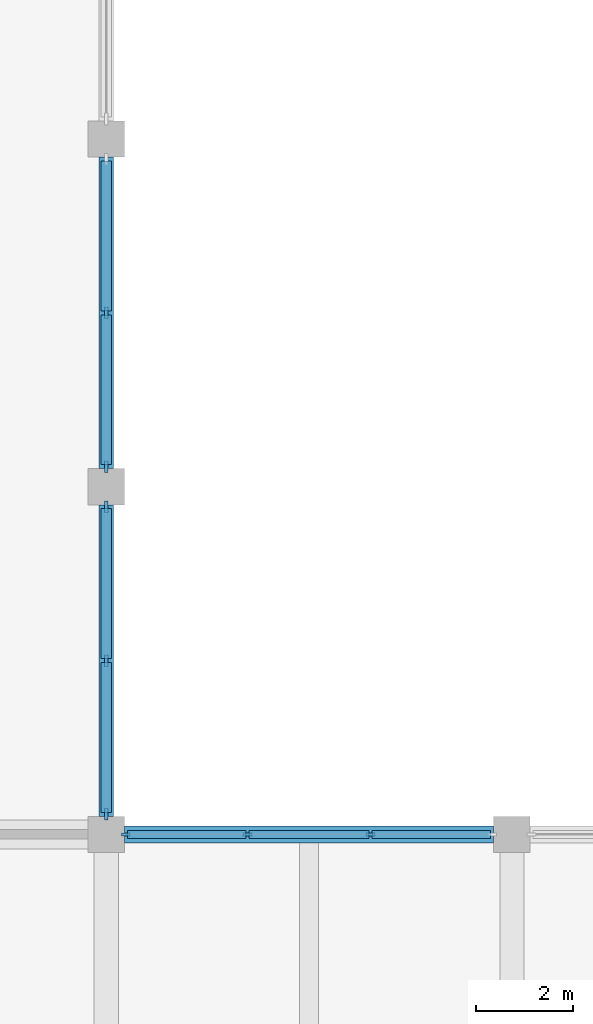
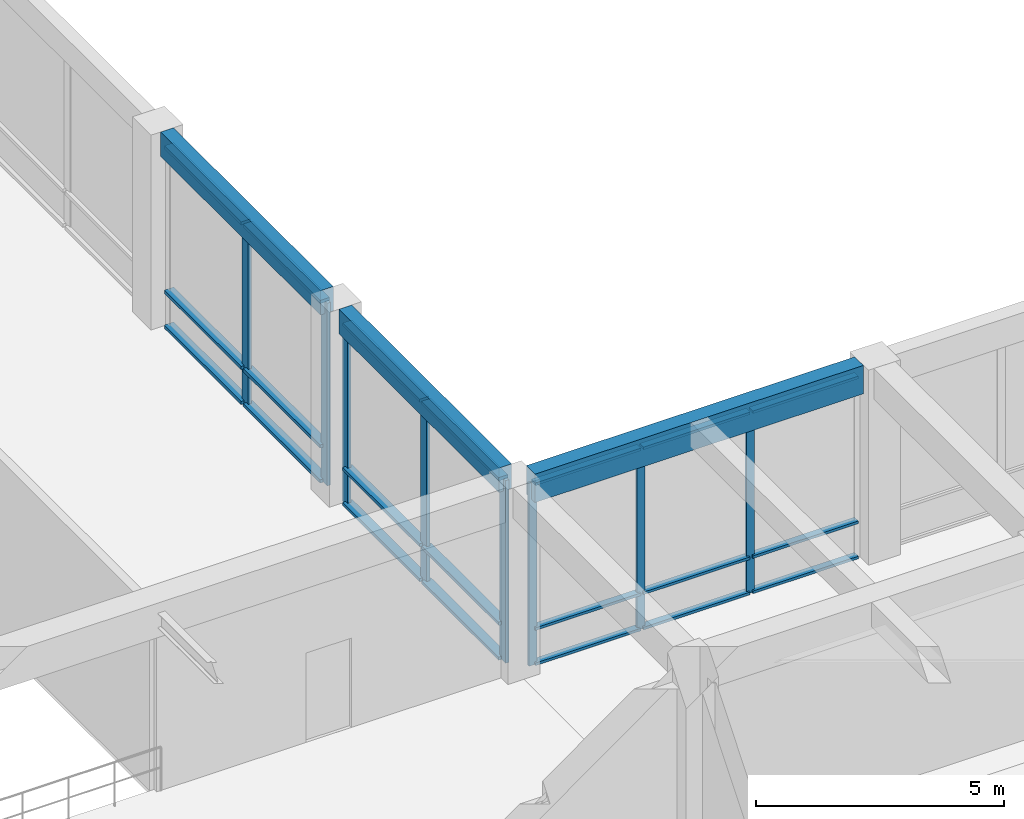
# One storey, part 7 of 52: 29 members, 3 beams, 3 elements without a shape of their own.
"""IFC4 building model written with IfcOpenShell, lengths in metres."""

from ifc_helpers import new_model, si_unit, direction, frame, origin, origin_2d, place, context, subcontext, project, spatial, rectangle, extrude, material, material_profile, profile_set, type_object, element, aggregate, save


model = new_model("IFC4")

# Units and contexts
model_context = context("Model", 3, precision=1e-05, world=origin(), true_north=direction((0.0, 1.0)))
body_context = subcontext(model_context, "Body", "Model", "MODEL_VIEW")
ifc_project = project(units=[si_unit("LENGTHUNIT", "METRE"), si_unit("AREAUNIT", "SQUARE_METRE"), si_unit("VOLUMEUNIT", "CUBIC_METRE"), si_unit("PLANEANGLEUNIT", "RADIAN"), si_unit("MASSUNIT", "GRAM", prefix="KILO")], contexts=[model_context])

# Site, building, storey
site_placement = place(None, origin())
site = spatial("IfcSite", under=ifc_project, at=site_placement, CompositionType="ELEMENT")
building_placement = place(site_placement, origin())
building = spatial("IfcBuilding", under=site, at=building_placement, Name="Kenerak Square Central Library", CompositionType="ELEMENT")
storey_placement = place(building_placement, frame((0.0, 0.0, 4.800048828125)))
storey = spatial("IfcBuildingStorey", under=building, at=storey_placement, Name="L01", CompositionType="ELEMENT", Elevation=4.800048828125)

# Beams
ifc_material_1 = material(Name="Concrete C40/50", Category="concrete")
ifc_material_profile_1 = material_profile(ifc_material_1, rectangle(XDim=0.300048828125, YDim=0.60009765625, at=origin_2d()), Name="RC 300x600")
ifc_profile_set_1 = profile_set([ifc_material_profile_1], Name="Concrete C40/50")
beam_type_1 = type_object("IfcBeamType", Name="Courtyard Spandrel Beam SP-02 RC 300x600 C40/50", PredefinedType="SPANDREL", material=ifc_profile_set_1)
beam_1_placement = place(storey_placement, frame((33.199951171875, 38.77490234375, 4.5), z_axis=(0.0, 1.0, 0.0), x_axis=(-1.0, 0.0, 0.0)))
element("IfcBeam", 1, at=beam_1_placement, inside=storey, type_object=beam_type_1, Name="Beam SP-02 L01 0991", PredefinedType="SPANDREL", context=body_context, shape_type="SweptSolid", body=[
    extrude(rectangle(XDim=0.300048828125, YDim=0.60009765625, at=origin_2d()), origin(), (0.0, 0.0, 1.0), 6.4501953125),
])
beam_2_placement = place(storey_placement, frame((33.199951171875, 45.97509765625, 4.5), z_axis=(0.0, 1.0, 0.0), x_axis=(-1.0, 0.0, 0.0)))
element("IfcBeam", 2, at=beam_2_placement, inside=storey, type_object=beam_type_1, Name="Beam SP-02 L01 0992", PredefinedType="SPANDREL", context=body_context, shape_type="SweptSolid", body=[
    extrude(rectangle(XDim=0.300048828125, YDim=0.60009765625, at=origin_2d()), origin(), (0.0, 0.0, 1.0), 6.449951171875),
])

# Curtain wall, members
ifc_material_2 = material(Name="Anodised aluminium and solar-control low-E glazing", Category="aluminium")
curtain_wall_type_1 = type_object("IfcCurtainWallType", Name="Curtain Wall CW-V6-76x45 7650x4500", PredefinedType="USERDEFINED", material=ifc_material_2)
curtain_wall_1_placement = place(storey_placement, origin())
curtain_wall_1 = element("IfcCurtainWall", 3, at=curtain_wall_1_placement, inside=storey, type_object=curtain_wall_type_1, Name="Curtain Wall CW-V6-76x45 L01 0064", ObjectType="CURTAIN WALL", PredefinedType="USERDEFINED")
ifc_material_3 = material(Name="Anodised aluminium 6063-T6", Category="aluminium")
ifc_material_profile_2 = material_profile(ifc_material_3, rectangle(XDim=0.06494140625, YDim=0.179931640625, at=origin_2d()), Name="AL MULLION 65x180")
ifc_profile_set_2 = profile_set([ifc_material_profile_2], Name="Anodised aluminium 6063-T6")
member_type_1 = type_object("IfcMemberType", Name="Curtain Mullion CM-01 65x180", PredefinedType="MULLION", material=ifc_profile_set_2)
member_1_placement = place(storey_placement, frame((33.607421875, 38.39990234375, 0.0), z_axis=(0.0, 0.0, 1.0), x_axis=(0.0, 1.0, 0.0)))
member_1 = element("IfcMember", 4, at=member_1_placement, type_object=member_type_1, Name="CW-V6-76x45 Mullion 1", PredefinedType="MULLION", context=body_context, shape_type="SweptSolid", body=[
    extrude(rectangle(XDim=0.06494140625, YDim=0.179931640625, at=origin_2d()), origin(), (0.0, 0.0, 1.0), 4.5),
])
member_2_placement = place(storey_placement, frame((36.125, 38.39990234375, 0.0), z_axis=(0.0, 0.0, 1.0), x_axis=(0.0, 1.0, 0.0)))
member_2 = element("IfcMember", 5, at=member_2_placement, type_object=member_type_1, Name="CW-V6-76x45 Mullion 2", PredefinedType="MULLION", context=body_context, shape_type="SweptSolid", body=[
    extrude(rectangle(XDim=0.06494140625, YDim=0.179931640625, at=origin_2d()), origin(), (0.0, 0.0, 1.0), 4.5),
])
member_3_placement = place(storey_placement, frame((38.675048828125, 38.39990234375, 0.0), z_axis=(0.0, 0.0, 1.0), x_axis=(0.0, 1.0, 0.0)))
member_3 = element("IfcMember", 6, at=member_3_placement, type_object=member_type_1, Name="CW-V6-76x45 Mullion 3", PredefinedType="MULLION", context=body_context, shape_type="SweptSolid", body=[
    extrude(rectangle(XDim=0.06494140625, YDim=0.179931640625, at=origin_2d()), origin(), (0.0, 0.0, 1.0), 4.5),
])

curtain_wall_type_2 = type_object("IfcCurtainWallType", Name="Curtain Wall CW-V3-64x45 6450x4500", PredefinedType="USERDEFINED", material=ifc_material_2)
curtain_wall_2_placement = place(storey_placement, origin())
curtain_wall_2 = element("IfcCurtainWall", 7, at=curtain_wall_2_placement, inside=storey, type_object=curtain_wall_type_2, Name="Curtain Wall CW-V3-64x45 L01 0062", ObjectType="CURTAIN WALL", PredefinedType="USERDEFINED")
ifc_material_profile_3 = material_profile(ifc_material_3, rectangle(XDim=0.080078125, YDim=0.239990234375, at=origin_2d()), Name="AL MULLION 80x240")
ifc_profile_set_3 = profile_set([ifc_material_profile_3], Name="Anodised aluminium 6063-T6")
member_type_2 = type_object("IfcMemberType", Name="Curtain Mullion CM-04 80x240", PredefinedType="MULLION", material=ifc_profile_set_3)
member_4_placement = place(storey_placement, frame((33.199951171875, 49.199951171875, 0.0), z_axis=(0.0, 0.0, 1.0), x_axis=(1.0, 0.0, 0.0)))
member_4 = element("IfcMember", 8, at=member_4_placement, type_object=member_type_2, Name="CW-V3-64x45 Mullion 2", PredefinedType="MULLION", context=body_context, shape_type="SweptSolid", body=[
    extrude(rectangle(XDim=0.080078125, YDim=0.239990234375, at=origin_2d()), origin(), (0.0, 0.0, 1.0), 4.5),
])
member_5_placement = place(storey_placement, frame((33.199951171875, 46.014892578125, 0.0), z_axis=(0.0, 0.0, 1.0), x_axis=(1.0, 0.0, 0.0)))
member_5 = element("IfcMember", 9, at=member_5_placement, type_object=member_type_2, Name="CW-V3-64x45 Mullion 3", PredefinedType="MULLION", context=body_context, shape_type="SweptSolid", body=[
    extrude(rectangle(XDim=0.080078125, YDim=0.239990234375, at=origin_2d()), origin(), (0.0, 0.0, 1.0), 4.5),
])

curtain_wall_3_placement = place(storey_placement, origin())
curtain_wall_3 = element("IfcCurtainWall", 10, at=curtain_wall_3_placement, inside=storey, type_object=curtain_wall_type_2, Name="Curtain Wall CW-V3-64x45 L01 0063", ObjectType="CURTAIN WALL", PredefinedType="USERDEFINED")
member_6_placement = place(storey_placement, frame((33.199951171875, 45.18505859375, 0.0), z_axis=(0.0, 0.0, 1.0), x_axis=(1.0, 0.0, 0.0)))
member_6 = element("IfcMember", 11, at=member_6_placement, type_object=member_type_2, Name="CW-V3-64x45 Mullion 1", PredefinedType="MULLION", context=body_context, shape_type="SweptSolid", body=[
    extrude(rectangle(XDim=0.080078125, YDim=0.239990234375, at=origin_2d()), origin(), (0.0, 0.0, 1.0), 4.5),
])
member_7_placement = place(storey_placement, frame((33.199951171875, 42.0, 0.0), z_axis=(0.0, 0.0, 1.0), x_axis=(1.0, 0.0, 0.0)))
member_7 = element("IfcMember", 12, at=member_7_placement, type_object=member_type_2, Name="CW-V3-64x45 Mullion 2", PredefinedType="MULLION", context=body_context, shape_type="SweptSolid", body=[
    extrude(rectangle(XDim=0.080078125, YDim=0.239990234375, at=origin_2d()), origin(), (0.0, 0.0, 1.0), 4.5),
])
member_8_placement = place(storey_placement, frame((33.199951171875, 38.81494140625, 0.0), z_axis=(0.0, 0.0, 1.0), x_axis=(1.0, 0.0, 0.0)))
member_8 = element("IfcMember", 13, at=member_8_placement, type_object=member_type_2, Name="CW-V3-64x45 Mullion 3", PredefinedType="MULLION", context=body_context, shape_type="SweptSolid", body=[
    extrude(rectangle(XDim=0.080078125, YDim=0.239990234375, at=origin_2d()), origin(), (0.0, 0.0, 1.0), 4.5),
])

# Member
ifc_material_profile_4 = material_profile(ifc_material_3, rectangle(XDim=0.159912109375, YDim=0.06494140625, at=origin_2d()), Name="AL TRANSOM 160x65")
ifc_profile_set_4 = profile_set([ifc_material_profile_4], Name="Anodised aluminium 6063-T6")
member_type_3 = type_object("IfcMemberType", Name="Curtain Transom CT-11 160x65", PredefinedType="USERDEFINED", material=ifc_profile_set_4)
member_9_placement = place(storey_placement, frame((33.639892578125, 38.39990234375, 0.032470703125), z_axis=(1.0, 0.0, 0.0), x_axis=(0.0, 1.0, 0.0)))
member_9 = element("IfcMember", 14, at=member_9_placement, type_object=member_type_3, Name="CW-V6-76x45 Transom 1.1", ObjectType="TRANSOM", PredefinedType="USERDEFINED", context=body_context, shape_type="SweptSolid", body=[
    extrude(rectangle(XDim=0.159912109375, YDim=0.06494140625, at=origin_2d()), origin(), (0.0, 0.0, 1.0), 2.45263671875),
])

member_10_placement = place(storey_placement, frame((33.639892578125, 38.39990234375, 0.89990234375), z_axis=(1.0, 0.0, 0.0), x_axis=(0.0, 1.0, 0.0)))
member_10 = element("IfcMember", 15, at=member_10_placement, type_object=member_type_3, Name="CW-V6-76x45 Transom 1.2", ObjectType="TRANSOM", PredefinedType="USERDEFINED", context=body_context, shape_type="SweptSolid", body=[
    extrude(rectangle(XDim=0.159912109375, YDim=0.06494140625, at=origin_2d()), origin(), (0.0, 0.0, 1.0), 2.45263671875),
])

member_11_placement = place(storey_placement, frame((33.639892578125, 38.39990234375, 4.467529296875), z_axis=(1.0, 0.0, 0.0), x_axis=(0.0, 1.0, 0.0)))
member_11 = element("IfcMember", 16, at=member_11_placement, type_object=member_type_3, Name="CW-V6-76x45 Transom 1.3", ObjectType="TRANSOM", PredefinedType="USERDEFINED", context=body_context, shape_type="SweptSolid", body=[
    extrude(rectangle(XDim=0.159912109375, YDim=0.06494140625, at=origin_2d()), origin(), (0.0, 0.0, 1.0), 2.45263671875),
])

member_12_placement = place(storey_placement, frame((36.157470703125, 38.39990234375, 0.032470703125), z_axis=(1.0, 0.0, 0.0), x_axis=(0.0, 1.0, 0.0)))
member_12 = element("IfcMember", 17, at=member_12_placement, type_object=member_type_3, Name="CW-V6-76x45 Transom 2.1", ObjectType="TRANSOM", PredefinedType="USERDEFINED", context=body_context, shape_type="SweptSolid", body=[
    extrude(rectangle(XDim=0.159912109375, YDim=0.06494140625, at=origin_2d()), origin(), (0.0, 0.0, 1.0), 2.485107421875),
])

member_13_placement = place(storey_placement, frame((36.157470703125, 38.39990234375, 0.89990234375), z_axis=(1.0, 0.0, 0.0), x_axis=(0.0, 1.0, 0.0)))
member_13 = element("IfcMember", 18, at=member_13_placement, type_object=member_type_3, Name="CW-V6-76x45 Transom 2.2", ObjectType="TRANSOM", PredefinedType="USERDEFINED", context=body_context, shape_type="SweptSolid", body=[
    extrude(rectangle(XDim=0.159912109375, YDim=0.06494140625, at=origin_2d()), origin(), (0.0, 0.0, 1.0), 2.485107421875),
])

member_14_placement = place(storey_placement, frame((36.157470703125, 38.39990234375, 4.467529296875), z_axis=(1.0, 0.0, 0.0), x_axis=(0.0, 1.0, 0.0)))
member_14 = element("IfcMember", 19, at=member_14_placement, type_object=member_type_3, Name="CW-V6-76x45 Transom 2.3", ObjectType="TRANSOM", PredefinedType="USERDEFINED", context=body_context, shape_type="SweptSolid", body=[
    extrude(rectangle(XDim=0.159912109375, YDim=0.06494140625, at=origin_2d()), origin(), (0.0, 0.0, 1.0), 2.485107421875),
])

member_15_placement = place(storey_placement, frame((38.70751953125, 38.39990234375, 0.032470703125), z_axis=(1.0, 0.0, 0.0), x_axis=(0.0, 1.0, 0.0)))
member_15 = element("IfcMember", 20, at=member_15_placement, type_object=member_type_3, Name="CW-V6-76x45 Transom 3.1", ObjectType="TRANSOM", PredefinedType="USERDEFINED", context=body_context, shape_type="SweptSolid", body=[
    extrude(rectangle(XDim=0.159912109375, YDim=0.06494140625, at=origin_2d()), origin(), (0.0, 0.0, 1.0), 2.452392578125),
])

member_16_placement = place(storey_placement, frame((38.70751953125, 38.39990234375, 0.89990234375), z_axis=(1.0, 0.0, 0.0), x_axis=(0.0, 1.0, 0.0)))
member_16 = element("IfcMember", 21, at=member_16_placement, type_object=member_type_3, Name="CW-V6-76x45 Transom 3.2", ObjectType="TRANSOM", PredefinedType="USERDEFINED", context=body_context, shape_type="SweptSolid", body=[
    extrude(rectangle(XDim=0.159912109375, YDim=0.06494140625, at=origin_2d()), origin(), (0.0, 0.0, 1.0), 2.452392578125),
])

member_17_placement = place(storey_placement, frame((38.70751953125, 38.39990234375, 4.467529296875), z_axis=(1.0, 0.0, 0.0), x_axis=(0.0, 1.0, 0.0)))
member_17 = element("IfcMember", 22, at=member_17_placement, type_object=member_type_3, Name="CW-V6-76x45 Transom 3.3", ObjectType="TRANSOM", PredefinedType="USERDEFINED", context=body_context, shape_type="SweptSolid", body=[
    extrude(rectangle(XDim=0.159912109375, YDim=0.06494140625, at=origin_2d()), origin(), (0.0, 0.0, 1.0), 2.452392578125),
])

aggregate(curtain_wall_1, [member_1, member_2, member_3, member_9, member_10, member_11, member_12, member_13, member_14, member_15, member_16, member_17])

ifc_material_profile_5 = material_profile(ifc_material_3, rectangle(XDim=0.219970703125, YDim=0.080078125, at=origin_2d()), Name="AL TRANSOM 220x80")
ifc_profile_set_5 = profile_set([ifc_material_profile_5], Name="Anodised aluminium 6063-T6")
member_type_4 = type_object("IfcMemberType", Name="Curtain Transom CT-14 220x80", PredefinedType="USERDEFINED", material=ifc_profile_set_5)
member_18_placement = place(storey_placement, frame((33.199951171875, 52.344970703125, 0.0400390625), z_axis=(0.0, -1.0, 0.0), x_axis=(1.0, 0.0, 0.0)))
member_18 = element("IfcMember", 23, at=member_18_placement, type_object=member_type_4, Name="CW-V3-64x45 Transom 1.1", ObjectType="TRANSOM", PredefinedType="USERDEFINED", context=body_context, shape_type="SweptSolid", body=[
    extrude(rectangle(XDim=0.219970703125, YDim=0.080078125, at=origin_2d()), origin(), (0.0, 0.0, 1.0), 3.10498046875),
])

member_19_placement = place(storey_placement, frame((33.199951171875, 52.344970703125, 0.89990234375), z_axis=(0.0, -1.0, 0.0), x_axis=(1.0, 0.0, 0.0)))
member_19 = element("IfcMember", 24, at=member_19_placement, type_object=member_type_4, Name="CW-V3-64x45 Transom 1.2", ObjectType="TRANSOM", PredefinedType="USERDEFINED", context=body_context, shape_type="SweptSolid", body=[
    extrude(rectangle(XDim=0.219970703125, YDim=0.080078125, at=origin_2d()), origin(), (0.0, 0.0, 1.0), 3.10498046875),
])

member_20_placement = place(storey_placement, frame((33.199951171875, 52.344970703125, 4.4599609375), z_axis=(0.0, -1.0, 0.0), x_axis=(1.0, 0.0, 0.0)))
member_20 = element("IfcMember", 25, at=member_20_placement, type_object=member_type_4, Name="CW-V3-64x45 Transom 1.3", ObjectType="TRANSOM", PredefinedType="USERDEFINED", context=body_context, shape_type="SweptSolid", body=[
    extrude(rectangle(XDim=0.219970703125, YDim=0.080078125, at=origin_2d()), origin(), (0.0, 0.0, 1.0), 3.10498046875),
])

member_21_placement = place(storey_placement, frame((33.199951171875, 49.159912109375, 0.0400390625), z_axis=(0.0, -1.0, 0.0), x_axis=(1.0, 0.0, 0.0)))
member_21 = element("IfcMember", 26, at=member_21_placement, type_object=member_type_4, Name="CW-V3-64x45 Transom 2.1", ObjectType="TRANSOM", PredefinedType="USERDEFINED", context=body_context, shape_type="SweptSolid", body=[
    extrude(rectangle(XDim=0.219970703125, YDim=0.080078125, at=origin_2d()), origin(), (0.0, 0.0, 1.0), 3.10498046875),
])

member_22_placement = place(storey_placement, frame((33.199951171875, 49.159912109375, 0.89990234375), z_axis=(0.0, -1.0, 0.0), x_axis=(1.0, 0.0, 0.0)))
member_22 = element("IfcMember", 27, at=member_22_placement, type_object=member_type_4, Name="CW-V3-64x45 Transom 2.2", ObjectType="TRANSOM", PredefinedType="USERDEFINED", context=body_context, shape_type="SweptSolid", body=[
    extrude(rectangle(XDim=0.219970703125, YDim=0.080078125, at=origin_2d()), origin(), (0.0, 0.0, 1.0), 3.10498046875),
])

member_23_placement = place(storey_placement, frame((33.199951171875, 49.159912109375, 4.4599609375), z_axis=(0.0, -1.0, 0.0), x_axis=(1.0, 0.0, 0.0)))
member_23 = element("IfcMember", 28, at=member_23_placement, type_object=member_type_4, Name="CW-V3-64x45 Transom 2.3", ObjectType="TRANSOM", PredefinedType="USERDEFINED", context=body_context, shape_type="SweptSolid", body=[
    extrude(rectangle(XDim=0.219970703125, YDim=0.080078125, at=origin_2d()), origin(), (0.0, 0.0, 1.0), 3.10498046875),
])

aggregate(curtain_wall_2, [member_4, member_5, member_18, member_19, member_20, member_21, member_22, member_23])

member_24_placement = place(storey_placement, frame((33.199951171875, 45.14501953125, 0.0400390625), z_axis=(0.0, -1.0, 0.0), x_axis=(1.0, 0.0, 0.0)))
member_24 = element("IfcMember", 29, at=member_24_placement, type_object=member_type_4, Name="CW-V3-64x45 Transom 1.1", ObjectType="TRANSOM", PredefinedType="USERDEFINED", context=body_context, shape_type="SweptSolid", body=[
    extrude(rectangle(XDim=0.219970703125, YDim=0.080078125, at=origin_2d()), origin(), (0.0, 0.0, 1.0), 3.10498046875),
])

member_25_placement = place(storey_placement, frame((33.199951171875, 45.14501953125, 0.89990234375), z_axis=(0.0, -1.0, 0.0), x_axis=(1.0, 0.0, 0.0)))
member_25 = element("IfcMember", 30, at=member_25_placement, type_object=member_type_4, Name="CW-V3-64x45 Transom 1.2", ObjectType="TRANSOM", PredefinedType="USERDEFINED", context=body_context, shape_type="SweptSolid", body=[
    extrude(rectangle(XDim=0.219970703125, YDim=0.080078125, at=origin_2d()), origin(), (0.0, 0.0, 1.0), 3.10498046875),
])

member_26_placement = place(storey_placement, frame((33.199951171875, 45.14501953125, 4.4599609375), z_axis=(0.0, -1.0, 0.0), x_axis=(1.0, 0.0, 0.0)))
member_26 = element("IfcMember", 31, at=member_26_placement, type_object=member_type_4, Name="CW-V3-64x45 Transom 1.3", ObjectType="TRANSOM", PredefinedType="USERDEFINED", context=body_context, shape_type="SweptSolid", body=[
    extrude(rectangle(XDim=0.219970703125, YDim=0.080078125, at=origin_2d()), origin(), (0.0, 0.0, 1.0), 3.10498046875),
])

member_27_placement = place(storey_placement, frame((33.199951171875, 41.9599609375, 0.0400390625), z_axis=(0.0, -1.0, 0.0), x_axis=(1.0, 0.0, 0.0)))
member_27 = element("IfcMember", 32, at=member_27_placement, type_object=member_type_4, Name="CW-V3-64x45 Transom 2.1", ObjectType="TRANSOM", PredefinedType="USERDEFINED", context=body_context, shape_type="SweptSolid", body=[
    extrude(rectangle(XDim=0.219970703125, YDim=0.080078125, at=origin_2d()), origin(), (0.0, 0.0, 1.0), 3.10498046875),
])

member_28_placement = place(storey_placement, frame((33.199951171875, 41.9599609375, 0.89990234375), z_axis=(0.0, -1.0, 0.0), x_axis=(1.0, 0.0, 0.0)))
member_28 = element("IfcMember", 33, at=member_28_placement, type_object=member_type_4, Name="CW-V3-64x45 Transom 2.2", ObjectType="TRANSOM", PredefinedType="USERDEFINED", context=body_context, shape_type="SweptSolid", body=[
    extrude(rectangle(XDim=0.219970703125, YDim=0.080078125, at=origin_2d()), origin(), (0.0, 0.0, 1.0), 3.10498046875),
])

member_29_placement = place(storey_placement, frame((33.199951171875, 41.9599609375, 4.4599609375), z_axis=(0.0, -1.0, 0.0), x_axis=(1.0, 0.0, 0.0)))
member_29 = element("IfcMember", 34, at=member_29_placement, type_object=member_type_4, Name="CW-V3-64x45 Transom 2.3", ObjectType="TRANSOM", PredefinedType="USERDEFINED", context=body_context, shape_type="SweptSolid", body=[
    extrude(rectangle(XDim=0.219970703125, YDim=0.080078125, at=origin_2d()), origin(), (0.0, 0.0, 1.0), 3.10498046875),
])

aggregate(curtain_wall_3, [member_6, member_7, member_8, member_24, member_25, member_26, member_27, member_28, member_29])

# Beam
ifc_material_profile_6 = material_profile(ifc_material_1, rectangle(XDim=0.35009765625, YDim=0.699951171875, at=origin_2d()), Name="RC 350x700")
ifc_profile_set_6 = profile_set([ifc_material_profile_6], Name="Concrete C40/50")
beam_type_2 = type_object("IfcBeamType", Name="Expressed Spandrel Beam SP-01 RC 350x700 C40/50", PredefinedType="SPANDREL", material=ifc_profile_set_6)
beam_3_placement = place(storey_placement, frame((33.574951171875, 38.39990234375, 4.449951171875), z_axis=(1.0, 0.0, 0.0), x_axis=(0.0, 1.0, 0.0)))
element("IfcBeam", 35, at=beam_3_placement, inside=storey, type_object=beam_type_2, Name="Beam SP-01 L01 0896", PredefinedType="SPANDREL", context=body_context, shape_type="SweptSolid", body=[
    extrude(rectangle(XDim=0.35009765625, YDim=0.699951171875, at=origin_2d()), origin(), (0.0, 0.0, 1.0), 7.650146484375),
])

save(model, "model.ifc")
